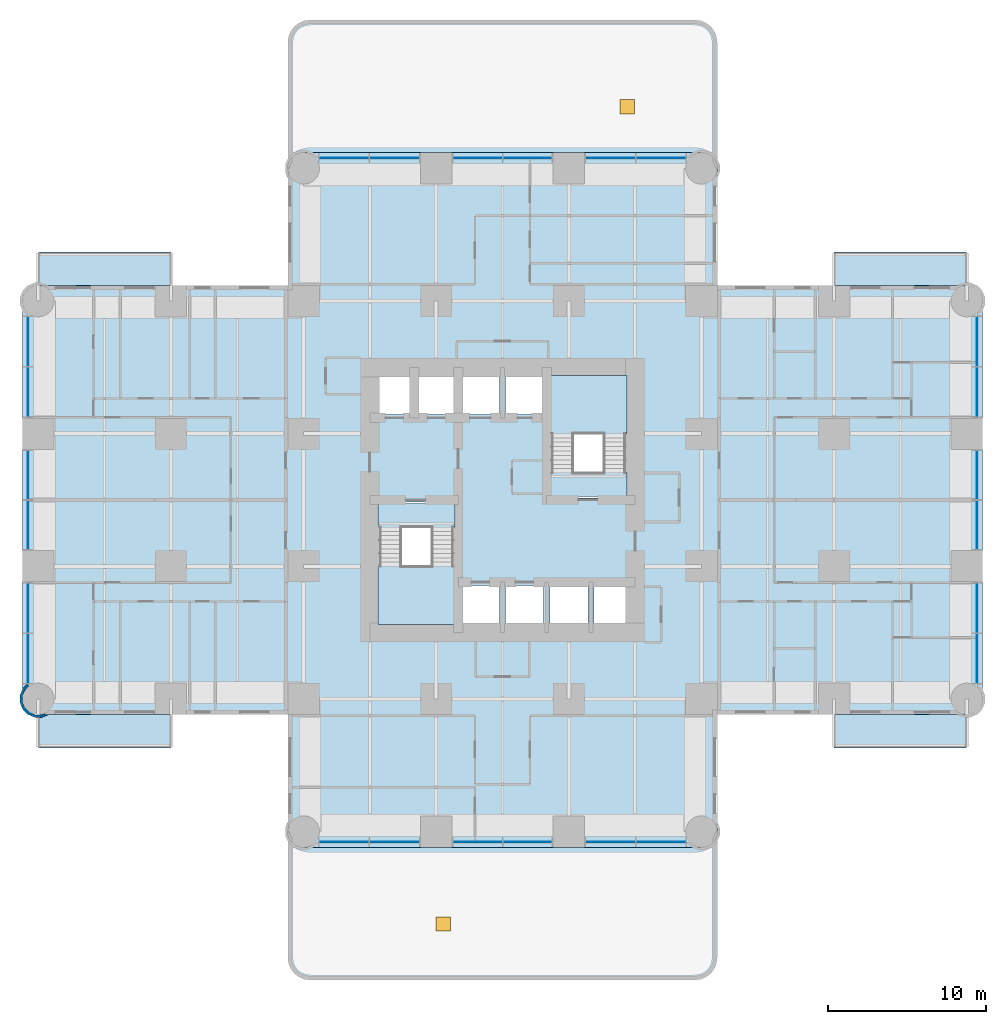
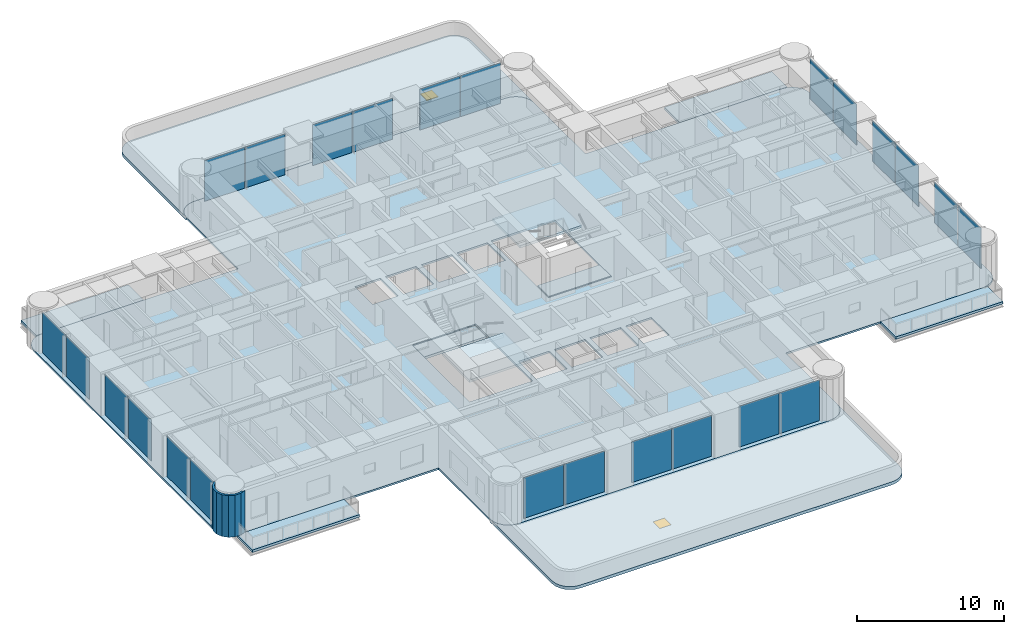
# One storey, part 5 of 14: 24 plates, 11 slabs, 2 windows, 1 wall, 2 openings, 6 elements without a shape of their own.
"""IFC4 building model written with IfcOpenShell, lengths in metres."""

import ifcopenshell
import ifcopenshell.guid

model = None  # the IFC model being written
_history = None  # IfcOwnerHistory: only IFC2X3 demands one
_inside = {}  # id of a spatial element -> (the spatial element, [elements in it])
_under = {}  # id of a project, library or spatial element -> (it, [spatial elements below it])
_declared = {}  # id of a project -> (the project, [libraries it declares])
_typed = {}  # id of a type object -> (the type object, [elements of that type])
_made_of = {}  # id of a material, layer set ... -> (it, [elements and type objects made of it])


def new_model(schema):
    """Start an empty IFC model of exactly this schema.

    Asked for "IFC4X3", IfcOpenShell would pick the latest addendum, in which some entities
    have other attributes; the version numbers below select the first issue.
    IFC2X3 requires an IfcOwnerHistory on every rooted entity: one is made here for all.
    """
    global model, _history
    if schema == "IFC4X3":
        model = ifcopenshell.file(schema_version=(4, 3, 0, 0))
    else:
        model = ifcopenshell.file(schema=schema)
    _inside.clear()
    _under.clear()
    _declared.clear()
    _typed.clear()
    _made_of.clear()
    _history = None
    if model.schema == "IFC2X3":
        org = make("IfcOrganization", Name="unknown")
        user = make(
            "IfcPersonAndOrganization",
            ThePerson=make("IfcPerson", FamilyName="unknown"),
            TheOrganization=org,
        )
        app = make(
            "IfcApplication",
            ApplicationDeveloper=org,
            Version="unknown",
            ApplicationFullName="unknown",
            ApplicationIdentifier="unknown",
        )
        _history = make(
            "IfcOwnerHistory",
            OwningUser=user,
            OwningApplication=app,
            ChangeAction="ADDED",
            CreationDate=0,
        )
    return model


def make(cls, **values):
    """One entity of the class cls with the attributes given. An attribute that is None is left unset."""
    return model.create_entity(
        cls, **{name: value for name, value in values.items() if value is not None}
    )


def rooted(cls, **values):
    """An entity with a GlobalId (a new one), such as an element, a storey or a relation."""
    return make(cls, GlobalId=ifcopenshell.guid.new(), OwnerHistory=_history, **values)


def si_unit(unit_type, name, prefix=None):
    """IfcSIUnit, for example si_unit("LENGTHUNIT", "METRE", prefix="MILLI")."""
    return make("IfcSIUnit", UnitType=unit_type, Prefix=prefix, Name=name)


def assignment(units):
    """IfcUnitAssignment: the units of a project."""
    return None if units is None else make("IfcUnitAssignment", Units=units)


def point(xyz):
    """IfcCartesianPoint."""
    return None if xyz is None else make("IfcCartesianPoint", Coordinates=xyz)


def direction(xyz):
    """IfcDirection."""
    return None if xyz is None else make("IfcDirection", DirectionRatios=xyz)


def frame(location, z_axis=None, x_axis=None):
    """IfcAxis2Placement3D, a coordinate frame: its origin and axes. An axis left out is left unset."""
    return make(
        "IfcAxis2Placement3D",
        Location=point(location),
        Axis=direction(z_axis),
        RefDirection=direction(x_axis),
    )


def frame_2d(location, x_axis=None):
    """IfcAxis2Placement2D, a coordinate frame in the plane: its origin and x axis."""
    return make(
        "IfcAxis2Placement2D", Location=point(location), RefDirection=direction(x_axis)
    )


def origin():
    """The frame at (0, 0, 0) with its axes left unset."""
    return frame((0.0, 0.0, 0.0))


def origin_2d():
    """The frame at (0, 0) in the plane with its x axis left unset."""
    return frame_2d((0.0, 0.0))


def place(relative_to, where):
    """IfcLocalPlacement: puts the frame where relative to a parent placement (None: the world)."""
    return make(
        "IfcLocalPlacement", PlacementRelTo=relative_to, RelativePlacement=where
    )


def context(
    kind, dimensions, precision=None, world=None, true_north=None, identifier=None
):
    """IfcGeometricRepresentationContext, for example the 3D "Model" context."""
    return make(
        "IfcGeometricRepresentationContext",
        ContextIdentifier=identifier,
        ContextType=kind,
        CoordinateSpaceDimension=dimensions,
        Precision=precision,
        WorldCoordinateSystem=world,
        TrueNorth=true_north,
    )


def subcontext(parent, identifier, kind, view, scale=None):
    """IfcGeometricRepresentationSubContext, for example "Body" below "Model"."""
    return make(
        "IfcGeometricRepresentationSubContext",
        ContextIdentifier=identifier,
        ContextType=kind,
        ParentContext=parent,
        TargetScale=scale,
        TargetView=view,
    )


def project(units=None, contexts=None):
    """IfcProject with its units and contexts."""
    return rooted(
        "IfcProject",
        Name="project",
        RepresentationContexts=contexts,
        UnitsInContext=assignment(units),
    )


def spatial(cls, under=None, at=None, **own):
    """A site, building, storey or space (cls), placed at a placement, below another one or the project."""
    s = rooted(cls, ObjectPlacement=at, **own)
    if under is not None:
        _under.setdefault(under.id(), (under, []))[1].append(s)
    return s


def polyline(points):
    """IfcPolyline through the points."""
    return make("IfcPolyline", Points=[point(p) for p in points])


def profile(cls, at=None, kind="AREA", **sizes):
    """A parametric profile (cls). Its sizes go by their IFC names, for example OverallWidth=200.0."""
    return make(cls, ProfileType=kind, Position=at, **sizes)


def rectangle(**sizes):
    """IfcRectangleProfileDef."""
    return profile("IfcRectangleProfileDef", **sizes)


def outline(outer, holes=None, kind="AREA"):
    """IfcArbitraryClosedProfileDef: a profile drawn as a closed curve; with holes, ...WithVoids."""
    if holes is None:
        return make("IfcArbitraryClosedProfileDef", ProfileType=kind, OuterCurve=outer)
    return make(
        "IfcArbitraryProfileDefWithVoids",
        ProfileType=kind,
        OuterCurve=outer,
        InnerCurves=holes,
    )


def extrude(swept, where, along, depth):
    """IfcExtrudedAreaSolid: the profile swept, set in the frame where, extruded along a direction by depth."""
    return make(
        "IfcExtrudedAreaSolid",
        SweptArea=swept,
        Position=where,
        ExtrudedDirection=direction(along),
        Depth=depth,
    )


def shape(context_of_items, identifier, shape_type, items):
    """IfcShapeRepresentation: the items that make up one representation, for example the "Body"."""
    return make(
        "IfcShapeRepresentation",
        ContextOfItems=context_of_items,
        RepresentationIdentifier=identifier,
        RepresentationType=shape_type,
        Items=items,
    )


def material(Name=None, Category=None):
    """IfcMaterial."""
    return make("IfcMaterial", Name=Name, Category=Category)


def layer(
    of_material, thickness, ventilated=None, Name=None, Category=None, Priority=None
):
    """IfcMaterialLayer: one layer of a wall or slab, of a material (None: an air gap)."""
    return make(
        "IfcMaterialLayer",
        Material=of_material,
        LayerThickness=thickness,
        IsVentilated=ventilated,
        Name=Name,
        Category=Category,
        Priority=Priority,
    )


def layer_set(layers, Name=None):
    """IfcMaterialLayerSet."""
    return make("IfcMaterialLayerSet", MaterialLayers=layers, LayerSetName=Name)


def made_of(thing, what):
    """Note that an element or type object is made of a material, layer set ...; save() writes the relation."""
    if what is not None:
        _made_of.setdefault(what.id(), (what, []))[1].append(thing)
    return thing


def type_object(cls, material=None, **own):
    """A type object (cls), such as IfcWallType, which elements share."""
    return made_of(rooted(cls, **own), material)


def element(
    cls,
    number,
    at=None,
    inside=None,
    cuts=None,
    type_object=None,
    material=None,
    context=None,
    identifier="Body",
    shape_type=None,
    held_by="IfcProductDefinitionShape",
    body=None,
    shapes=None,
    **own,
):
    """One element of the class cls, such as IfcWall. Its Tag is "e" and its number.

    at: its placement. inside: the storey or other place that contains it. cuts: it is an
    opening in that element (IfcRelVoidsElement). A single representation is given by context,
    identifier, shape_type and body (its items); several are given by shapes. held_by: the class
    of the entity that holds the representations. save() writes the other relations.
    """
    e = rooted(cls, Tag="e%d" % number, ObjectPlacement=at, **own)
    if body is not None:
        shapes = [shape(context, identifier, shape_type, body)]
    if shapes is not None:
        e.Representation = make(held_by, Representations=shapes)
    if inside is not None:
        _inside.setdefault(inside.id(), (inside, []))[1].append(e)
    if cuts is not None:
        rooted(
            "IfcRelVoidsElement", RelatingBuildingElement=cuts, RelatedOpeningElement=e
        )
    if type_object is not None:
        _typed.setdefault(type_object.id(), (type_object, []))[1].append(e)
    return made_of(e, material)


def fill(opening, filler):
    """IfcRelFillsElement: the door or window that sits in an opening."""
    return rooted(
        "IfcRelFillsElement",
        RelatingOpeningElement=opening,
        RelatedBuildingElement=filler,
    )


def aggregate(whole, parts):
    """IfcRelAggregates: a whole, such as a stair, and the parts it consists of."""
    return rooted("IfcRelAggregates", RelatingObject=whole, RelatedObjects=parts)


def save(model, path):
    """Write the relations noted so far, then the file.

    IfcRelAggregates (storeys below a building ...), IfcRelContainedInSpatialStructure (elements
    in a storey), IfcRelDefinesByType, IfcRelAssociatesMaterial and IfcRelDeclares: one each for
    every whole, place, type object, material and project.
    """
    for whole, parts in _under.values():
        aggregate(whole, parts)
    for where, things in _inside.values():
        rooted(
            "IfcRelContainedInSpatialStructure",
            RelatedElements=things,
            RelatingStructure=where,
        )
    for kind, things in _typed.values():
        rooted("IfcRelDefinesByType", RelatedObjects=things, RelatingType=kind)
    for what, things in _made_of.values():
        rooted("IfcRelAssociatesMaterial", RelatedObjects=things, RelatingMaterial=what)
    for by, libraries in _declared.values():
        rooted("IfcRelDeclares", RelatingContext=by, RelatedDefinitions=libraries)
    model.write(path)


model = new_model("IFC4")

# Units and contexts
model_context = context("Model", 3, precision=1e-05, world=origin(), true_north=direction((0.0, 1.0)))
body_context = subcontext(model_context, "Body", "Model", "MODEL_VIEW")
ifc_project = project(units=[si_unit("LENGTHUNIT", "METRE"), si_unit("AREAUNIT", "SQUARE_METRE"), si_unit("VOLUMEUNIT", "CUBIC_METRE"), si_unit("PLANEANGLEUNIT", "RADIAN"), si_unit("MASSUNIT", "GRAM", prefix="KILO")], contexts=[model_context])

# Site, building, storey
site_placement = place(None, origin())
site = spatial("IfcSite", under=ifc_project, at=site_placement, CompositionType="ELEMENT")
building_placement = place(site_placement, origin())
building = spatial("IfcBuilding", under=site, at=building_placement, Name="Torre Alcanfor", CompositionType="ELEMENT")
storey_placement = place(building_placement, frame((0.0, 0.0, 108.89990234375)))
storey = spatial("IfcBuildingStorey", under=building, at=storey_placement, Name="L27", CompositionType="ELEMENT", Elevation=108.89990234375)

# Slabs
ifc_material_1 = material(Name="Concrete f'c 35 MPa", Category="concrete")
ifc_layer_1 = layer(ifc_material_1, 0.199951171875)
ifc_layer_set_1 = layer_set([ifc_layer_1], Name="Balcony slab 200")
slab_type_1 = type_object("IfcSlabType", Name="Balcony slab 200", PredefinedType="FLOOR", material=ifc_layer_set_1)
slab_1_placement = place(storey_placement, frame((0.0, 0.0, -0.199951171875)))
element("IfcSlab", 1, at=slab_1_placement, inside=storey, type_object=slab_type_1, Name="Balcony L27-E1", PredefinedType="FLOOR", context=body_context, shape_type="SweptSolid", body=[
    extrude(outline(polyline([(50.39990234375, 43.0), (58.800048828125, 43.0), (58.800048828125, 45.10009765625), (50.39990234375, 45.10009765625), (50.39990234375, 43.0)])), origin(), (0.0, 0.0, 1.0), 0.199951171875),
])
slab_2_placement = place(storey_placement, frame((0.0, 0.0, -0.199951171875)))
element("IfcSlab", 2, at=slab_2_placement, inside=storey, type_object=slab_type_1, Name="Balcony L27-E2", PredefinedType="FLOOR", context=body_context, shape_type="SweptSolid", body=[
    extrude(outline(polyline([(50.39990234375, 13.699951171875), (58.800048828125, 13.699951171875), (58.800048828125, 15.800048828125), (50.39990234375, 15.800048828125), (50.39990234375, 13.699951171875)])), origin(), (0.0, 0.0, 1.0), 0.199951171875),
])
slab_3_placement = place(storey_placement, frame((0.0, 0.0, -0.199951171875)))
element("IfcSlab", 3, at=slab_3_placement, inside=storey, type_object=slab_type_1, Name="Balcony L27-W1", PredefinedType="FLOOR", context=body_context, shape_type="SweptSolid", body=[
    extrude(outline(polyline([(8.39990234375, 15.800048828125), (0.0, 15.800048828125), (0.0, 13.699951171875), (8.39990234375, 13.699951171875), (8.39990234375, 15.800048828125)])), origin(), (0.0, 0.0, 1.0), 0.199951171875),
])
slab_4_placement = place(storey_placement, frame((0.0, 0.0, -0.199951171875)))
element("IfcSlab", 4, at=slab_4_placement, inside=storey, type_object=slab_type_1, Name="Balcony L27-W2", PredefinedType="FLOOR", context=body_context, shape_type="SweptSolid", body=[
    extrude(outline(polyline([(8.39990234375, 45.10009765625), (0.0, 45.10009765625), (0.0, 43.0), (8.39990234375, 43.0), (8.39990234375, 45.10009765625)])), origin(), (0.0, 0.0, 1.0), 0.199951171875),
])

# Curtain wall, plates
ifc_material_2 = material(Name="Aluminium and glass", Category="aluminium")
curtain_wall_type = type_object("IfcCurtainWallType", Name="CW-A unitised apartment glazing with vertical FIN", PredefinedType="NOTDEFINED", material=ifc_material_2)
curtain_wall_1_placement = place(storey_placement, origin())
curtain_wall_1 = element("IfcCurtainWall", 5, at=curtain_wall_1_placement, inside=storey, type_object=curtain_wall_type, Name="Curtain wall CW-A L27 2", PredefinedType="NOTDEFINED")
ifc_material_3 = material(Name="Glass", Category="glass")
ifc_layer_2 = layer(ifc_material_3, 0.028076171875)
ifc_layer_set_2 = layer_set([ifc_layer_2], Name="CW-A clear double glazed unit")
plate_type = type_object("IfcPlateType", Name="CW-A clear double glazed unit", PredefinedType="CURTAIN_PANEL", material=ifc_layer_set_2)
plate_1_placement = place(storey_placement, frame((-0.64990234375, 39.428466796875, 0.0), z_axis=(0.0, 0.0, 1.0), x_axis=(0.0, -1.0, 0.0)))
plate_1 = element("IfcPlate", 6, at=plate_1_placement, type_object=plate_type, Name="CW-A panel 1.1.1", PredefinedType="CURTAIN_PANEL", context=body_context, shape_type="SweptSolid", body=[
    extrude(rectangle(XDim=3.12890625, YDim=0.028076171875, at=origin_2d()), origin(), (0.0, 0.0, 1.0), 3.385009765625),
])
plate_2_placement = place(storey_placement, frame((-0.64990234375, 36.234619140625, 0.0), z_axis=(0.0, 0.0, 1.0), x_axis=(0.0, -1.0, 0.0)))
plate_2 = element("IfcPlate", 7, at=plate_2_placement, type_object=plate_type, Name="CW-A panel 1.2.1", PredefinedType="CURTAIN_PANEL", context=body_context, shape_type="SweptSolid", body=[
    extrude(rectangle(XDim=3.12890625, YDim=0.028076171875, at=origin_2d()), origin(), (0.0, 0.0, 1.0), 3.385009765625),
])
plate_3_placement = place(storey_placement, frame((-0.64990234375, 30.981201171875, 0.0), z_axis=(0.0, 0.0, 1.0), x_axis=(0.0, -1.0, 0.0)))
plate_3 = element("IfcPlate", 8, at=plate_3_placement, type_object=plate_type, Name="CW-A panel 2.1.1", PredefinedType="CURTAIN_PANEL", context=body_context, shape_type="SweptSolid", body=[
    extrude(rectangle(XDim=3.097412109375, YDim=0.028076171875, at=origin_2d()), origin(), (0.0, 0.0, 1.0), 3.385009765625),
])
plate_4_placement = place(storey_placement, frame((-0.64990234375, 27.81884765625, 0.0), z_axis=(0.0, 0.0, 1.0), x_axis=(0.0, -1.0, 0.0)))
plate_4 = element("IfcPlate", 9, at=plate_4_placement, type_object=plate_type, Name="CW-A panel 2.2.1", PredefinedType="CURTAIN_PANEL", context=body_context, shape_type="SweptSolid", body=[
    extrude(rectangle(XDim=3.097412109375, YDim=0.028076171875, at=origin_2d()), origin(), (0.0, 0.0, 1.0), 3.385009765625),
])
plate_5_placement = place(storey_placement, frame((-0.64990234375, 22.5654296875, 0.0), z_axis=(0.0, 0.0, 1.0), x_axis=(0.0, -1.0, 0.0)))
plate_5 = element("IfcPlate", 10, at=plate_5_placement, type_object=plate_type, Name="CW-A panel 3.1.1", PredefinedType="CURTAIN_PANEL", context=body_context, shape_type="SweptSolid", body=[
    extrude(rectangle(XDim=3.12890625, YDim=0.028076171875, at=origin_2d()), origin(), (0.0, 0.0, 1.0), 3.385009765625),
])
plate_6_placement = place(storey_placement, frame((-0.64990234375, 19.37158203125, 0.0), z_axis=(0.0, 0.0, 1.0), x_axis=(0.0, -1.0, 0.0)))
plate_6 = element("IfcPlate", 11, at=plate_6_placement, type_object=plate_type, Name="CW-A panel 3.2.1", PredefinedType="CURTAIN_PANEL", context=body_context, shape_type="SweptSolid", body=[
    extrude(rectangle(XDim=3.12890625, YDim=0.028076171875, at=origin_2d()), origin(), (0.0, 0.0, 1.0), 3.385009765625),
])
aggregate(curtain_wall_1, [plate_1, plate_2, plate_3, plate_4, plate_5, plate_6])

curtain_wall_2_placement = place(storey_placement, origin())
curtain_wall_2 = element("IfcCurtainWall", 12, at=curtain_wall_2_placement, inside=storey, type_object=curtain_wall_type, Name="Curtain wall CW-A L27 5", PredefinedType="NOTDEFINED")
plate_7_placement = place(storey_placement, frame((19.37158203125, 7.75, 0.0), z_axis=(0.0, 0.0, 1.0), x_axis=(1.0, 0.0, 0.0)))
plate_7 = element("IfcPlate", 13, at=plate_7_placement, type_object=plate_type, Name="CW-A panel 1.1.1", PredefinedType="CURTAIN_PANEL", context=body_context, shape_type="SweptSolid", body=[
    extrude(rectangle(XDim=3.12890625, YDim=0.028076171875, at=origin_2d()), origin(), (0.0, 0.0, 1.0), 3.385009765625),
])
plate_8_placement = place(storey_placement, frame((22.5654296875, 7.75, 0.0), z_axis=(0.0, 0.0, 1.0), x_axis=(1.0, 0.0, 0.0)))
plate_8 = element("IfcPlate", 14, at=plate_8_placement, type_object=plate_type, Name="CW-A panel 1.2.1", PredefinedType="CURTAIN_PANEL", context=body_context, shape_type="SweptSolid", body=[
    extrude(rectangle(XDim=3.12890625, YDim=0.028076171875, at=origin_2d()), origin(), (0.0, 0.0, 1.0), 3.385009765625),
])
plate_9_placement = place(storey_placement, frame((27.81884765625, 7.75, 0.0), z_axis=(0.0, 0.0, 1.0), x_axis=(1.0, 0.0, 0.0)))
plate_9 = element("IfcPlate", 15, at=plate_9_placement, type_object=plate_type, Name="CW-A panel 2.1.1", PredefinedType="CURTAIN_PANEL", context=body_context, shape_type="SweptSolid", body=[
    extrude(rectangle(XDim=3.097412109375, YDim=0.028076171875, at=origin_2d()), origin(), (0.0, 0.0, 1.0), 3.385009765625),
])
plate_10_placement = place(storey_placement, frame((30.981201171875, 7.75, 0.0), z_axis=(0.0, 0.0, 1.0), x_axis=(1.0, 0.0, 0.0)))
plate_10 = element("IfcPlate", 16, at=plate_10_placement, type_object=plate_type, Name="CW-A panel 2.2.1", PredefinedType="CURTAIN_PANEL", context=body_context, shape_type="SweptSolid", body=[
    extrude(rectangle(XDim=3.097412109375, YDim=0.028076171875, at=origin_2d()), origin(), (0.0, 0.0, 1.0), 3.385009765625),
])
plate_11_placement = place(storey_placement, frame((36.234619140625, 7.75, 0.0), z_axis=(0.0, 0.0, 1.0), x_axis=(1.0, 0.0, 0.0)))
plate_11 = element("IfcPlate", 17, at=plate_11_placement, type_object=plate_type, Name="CW-A panel 3.1.1", PredefinedType="CURTAIN_PANEL", context=body_context, shape_type="SweptSolid", body=[
    extrude(rectangle(XDim=3.12890625, YDim=0.028076171875, at=origin_2d()), origin(), (0.0, 0.0, 1.0), 3.385009765625),
])
plate_12_placement = place(storey_placement, frame((39.428466796875, 7.75, 0.0), z_axis=(0.0, 0.0, 1.0), x_axis=(1.0, 0.0, 0.0)))
plate_12 = element("IfcPlate", 18, at=plate_12_placement, type_object=plate_type, Name="CW-A panel 3.2.1", PredefinedType="CURTAIN_PANEL", context=body_context, shape_type="SweptSolid", body=[
    extrude(rectangle(XDim=3.12890625, YDim=0.028076171875, at=origin_2d()), origin(), (0.0, 0.0, 1.0), 3.385009765625),
])
aggregate(curtain_wall_2, [plate_7, plate_8, plate_9, plate_10, plate_11, plate_12])

curtain_wall_3_placement = place(storey_placement, origin())
curtain_wall_3 = element("IfcCurtainWall", 19, at=curtain_wall_3_placement, inside=storey, type_object=curtain_wall_type, Name="Curtain wall CW-A L27 8", PredefinedType="NOTDEFINED")
plate_13_placement = place(storey_placement, frame((59.449951171875, 19.37158203125, 0.0), z_axis=(0.0, 0.0, 1.0), x_axis=(0.0, 1.0, 0.0)))
plate_13 = element("IfcPlate", 20, at=plate_13_placement, type_object=plate_type, Name="CW-A panel 1.1.1", PredefinedType="CURTAIN_PANEL", context=body_context, shape_type="SweptSolid", body=[
    extrude(rectangle(XDim=3.12890625, YDim=0.028076171875, at=origin_2d()), origin(), (0.0, 0.0, 1.0), 3.385009765625),
])
plate_14_placement = place(storey_placement, frame((59.449951171875, 22.5654296875, 0.0), z_axis=(0.0, 0.0, 1.0), x_axis=(0.0, 1.0, 0.0)))
plate_14 = element("IfcPlate", 21, at=plate_14_placement, type_object=plate_type, Name="CW-A panel 1.2.1", PredefinedType="CURTAIN_PANEL", context=body_context, shape_type="SweptSolid", body=[
    extrude(rectangle(XDim=3.12890625, YDim=0.028076171875, at=origin_2d()), origin(), (0.0, 0.0, 1.0), 3.385009765625),
])
plate_15_placement = place(storey_placement, frame((59.449951171875, 27.81884765625, 0.0), z_axis=(0.0, 0.0, 1.0), x_axis=(0.0, 1.0, 0.0)))
plate_15 = element("IfcPlate", 22, at=plate_15_placement, type_object=plate_type, Name="CW-A panel 2.1.1", PredefinedType="CURTAIN_PANEL", context=body_context, shape_type="SweptSolid", body=[
    extrude(rectangle(XDim=3.097412109375, YDim=0.028076171875, at=origin_2d()), origin(), (0.0, 0.0, 1.0), 3.385009765625),
])
plate_16_placement = place(storey_placement, frame((59.449951171875, 30.981201171875, 0.0), z_axis=(0.0, 0.0, 1.0), x_axis=(0.0, 1.0, 0.0)))
plate_16 = element("IfcPlate", 23, at=plate_16_placement, type_object=plate_type, Name="CW-A panel 2.2.1", PredefinedType="CURTAIN_PANEL", context=body_context, shape_type="SweptSolid", body=[
    extrude(rectangle(XDim=3.097412109375, YDim=0.028076171875, at=origin_2d()), origin(), (0.0, 0.0, 1.0), 3.385009765625),
])
plate_17_placement = place(storey_placement, frame((59.449951171875, 36.234619140625, 0.0), z_axis=(0.0, 0.0, 1.0), x_axis=(0.0, 1.0, 0.0)))
plate_17 = element("IfcPlate", 24, at=plate_17_placement, type_object=plate_type, Name="CW-A panel 3.1.1", PredefinedType="CURTAIN_PANEL", context=body_context, shape_type="SweptSolid", body=[
    extrude(rectangle(XDim=3.12890625, YDim=0.028076171875, at=origin_2d()), origin(), (0.0, 0.0, 1.0), 3.385009765625),
])
plate_18_placement = place(storey_placement, frame((59.449951171875, 39.428466796875, 0.0), z_axis=(0.0, 0.0, 1.0), x_axis=(0.0, 1.0, 0.0)))
plate_18 = element("IfcPlate", 25, at=plate_18_placement, type_object=plate_type, Name="CW-A panel 3.2.1", PredefinedType="CURTAIN_PANEL", context=body_context, shape_type="SweptSolid", body=[
    extrude(rectangle(XDim=3.12890625, YDim=0.028076171875, at=origin_2d()), origin(), (0.0, 0.0, 1.0), 3.385009765625),
])
aggregate(curtain_wall_3, [plate_13, plate_14, plate_15, plate_16, plate_17, plate_18])

curtain_wall_4_placement = place(storey_placement, origin())
curtain_wall_4 = element("IfcCurtainWall", 26, at=curtain_wall_4_placement, inside=storey, type_object=curtain_wall_type, Name="Curtain wall CW-A L27 11", PredefinedType="NOTDEFINED")
plate_19_placement = place(storey_placement, frame((39.428466796875, 51.050048828125, 0.0), z_axis=(0.0, 0.0, 1.0), x_axis=(-1.0, 0.0, 0.0)))
plate_19 = element("IfcPlate", 27, at=plate_19_placement, type_object=plate_type, Name="CW-A panel 1.1.1", PredefinedType="CURTAIN_PANEL", context=body_context, shape_type="SweptSolid", body=[
    extrude(rectangle(XDim=3.12890625, YDim=0.028076171875, at=origin_2d()), origin(), (0.0, 0.0, 1.0), 3.385009765625),
])
plate_20_placement = place(storey_placement, frame((36.234619140625, 51.050048828125, 0.0), z_axis=(0.0, 0.0, 1.0), x_axis=(-1.0, 0.0, 0.0)))
plate_20 = element("IfcPlate", 28, at=plate_20_placement, type_object=plate_type, Name="CW-A panel 1.2.1", PredefinedType="CURTAIN_PANEL", context=body_context, shape_type="SweptSolid", body=[
    extrude(rectangle(XDim=3.12890625, YDim=0.028076171875, at=origin_2d()), origin(), (0.0, 0.0, 1.0), 3.385009765625),
])
plate_21_placement = place(storey_placement, frame((30.981201171875, 51.050048828125, 0.0), z_axis=(0.0, 0.0, 1.0), x_axis=(-1.0, 0.0, 0.0)))
plate_21 = element("IfcPlate", 29, at=plate_21_placement, type_object=plate_type, Name="CW-A panel 2.1.1", PredefinedType="CURTAIN_PANEL", context=body_context, shape_type="SweptSolid", body=[
    extrude(rectangle(XDim=3.097412109375, YDim=0.028076171875, at=origin_2d()), origin(), (0.0, 0.0, 1.0), 3.385009765625),
])
plate_22_placement = place(storey_placement, frame((27.81884765625, 51.050048828125, 0.0), z_axis=(0.0, 0.0, 1.0), x_axis=(-1.0, 0.0, 0.0)))
plate_22 = element("IfcPlate", 30, at=plate_22_placement, type_object=plate_type, Name="CW-A panel 2.2.1", PredefinedType="CURTAIN_PANEL", context=body_context, shape_type="SweptSolid", body=[
    extrude(rectangle(XDim=3.097412109375, YDim=0.028076171875, at=origin_2d()), origin(), (0.0, 0.0, 1.0), 3.385009765625),
])
plate_23_placement = place(storey_placement, frame((22.5654296875, 51.050048828125, 0.0), z_axis=(0.0, 0.0, 1.0), x_axis=(-1.0, 0.0, 0.0)))
plate_23 = element("IfcPlate", 31, at=plate_23_placement, type_object=plate_type, Name="CW-A panel 3.1.1", PredefinedType="CURTAIN_PANEL", context=body_context, shape_type="SweptSolid", body=[
    extrude(rectangle(XDim=3.12890625, YDim=0.028076171875, at=origin_2d()), origin(), (0.0, 0.0, 1.0), 3.385009765625),
])
plate_24_placement = place(storey_placement, frame((19.37158203125, 51.050048828125, 0.0), z_axis=(0.0, 0.0, 1.0), x_axis=(-1.0, 0.0, 0.0)))
plate_24 = element("IfcPlate", 32, at=plate_24_placement, type_object=plate_type, Name="CW-A panel 3.2.1", PredefinedType="CURTAIN_PANEL", context=body_context, shape_type="SweptSolid", body=[
    extrude(rectangle(XDim=3.12890625, YDim=0.028076171875, at=origin_2d()), origin(), (0.0, 0.0, 1.0), 3.385009765625),
])
aggregate(curtain_wall_4, [plate_19, plate_20, plate_21, plate_22, plate_23, plate_24])

# Slab
ifc_material_4 = material(Name="Concrete f'c 35 MPa", Category="concrete")
ifc_layer_3 = layer(ifc_material_4, 0.14990234375)
ifc_layer_set_3 = layer_set([ifc_layer_3], Name="Composite floor 150 on metal deck")
slab_type_2 = type_object("IfcSlabType", Name="Composite floor 150 on metal deck", PredefinedType="FLOOR", material=ifc_layer_set_3)
slab_5_placement = place(storey_placement, frame((0.0, 0.0, -0.14990234375)))
element("IfcSlab", 33, at=slab_5_placement, inside=storey, type_object=slab_type_2, Name="Floor slab L27", PredefinedType="FLOOR", context=body_context, shape_type="SweptSolid", body=[
    extrude(outline(polyline([(15.800048828125, 43.0), (0.39990234375, 43.0), (0.03759765625, 42.952392578125), (-0.300048828125, 42.8125), (-0.58984375, 42.58984375), (-0.8125, 42.300048828125), (-0.952392578125, 41.96240234375), (-1.0, 41.60009765625), (-1.0, 17.199951171875), (-0.952392578125, 16.837646484375), (-0.8125, 16.5), (-0.58984375, 16.210205078125), (-0.300048828125, 15.987548828125), (0.03759765625, 15.84765625), (0.39990234375, 15.800048828125), (15.800048828125, 15.800048828125), (15.800048828125, 8.800048828125), (15.84765625, 8.437744140625), (15.987548828125, 8.10009765625), (16.210205078125, 7.81005859375), (16.5, 7.587646484375), (16.837646484375, 7.44775390625), (17.199951171875, 7.39990234375), (41.60009765625, 7.39990234375), (41.96240234375, 7.44775390625), (42.300048828125, 7.587646484375), (42.58984375, 7.81005859375), (42.8125, 8.10009765625), (42.952392578125, 8.437744140625), (43.0, 8.800048828125), (43.0, 15.800048828125), (58.39990234375, 15.800048828125), (58.76220703125, 15.84765625), (59.10009765625, 15.987548828125), (59.389892578125, 16.210205078125), (59.6123046875, 16.5), (59.752197265625, 16.837646484375), (59.800048828125, 17.199951171875), (59.800048828125, 41.60009765625), (59.752197265625, 41.96240234375), (59.6123046875, 42.300048828125), (59.389892578125, 42.58984375), (59.10009765625, 42.8125), (58.76220703125, 42.952392578125), (58.39990234375, 43.0), (43.0, 43.0), (43.0, 50.0), (42.952392578125, 50.3623046875), (42.8125, 50.699951171875), (42.58984375, 50.989990234375), (42.300048828125, 51.21240234375), (41.96240234375, 51.352294921875), (41.60009765625, 51.39990234375), (17.199951171875, 51.39990234375), (16.837646484375, 51.352294921875), (16.5, 51.21240234375), (16.210205078125, 50.989990234375), (15.987548828125, 50.699951171875), (15.84765625, 50.3623046875), (15.800048828125, 50.0), (15.800048828125, 43.0)]), holes=[polyline([(21.52001953125, 21.52001953125), (26.47998046875, 21.52001953125), (26.47998046875, 29.280029296875), (21.52001953125, 29.280029296875), (21.52001953125, 21.52001953125)]), polyline([(32.320068359375, 29.52001953125), (37.280029296875, 29.52001953125), (37.280029296875, 37.280029296875), (32.320068359375, 37.280029296875), (32.320068359375, 29.52001953125)]), polyline([(26.800048828125, 21.60009765625), (29.199951171875, 21.60009765625), (29.199951171875, 24.0), (26.800048828125, 24.0), (26.800048828125, 21.60009765625)]), polyline([(29.60009765625, 21.60009765625), (32.0, 21.60009765625), (32.0, 24.0), (29.60009765625, 24.0), (29.60009765625, 21.60009765625)]), polyline([(32.39990234375, 21.60009765625), (34.800048828125, 21.60009765625), (34.800048828125, 24.0), (32.39990234375, 24.0), (32.39990234375, 21.60009765625)]), polyline([(35.199951171875, 21.60009765625), (37.199951171875, 21.60009765625), (37.199951171875, 24.0), (35.199951171875, 24.0), (35.199951171875, 21.60009765625)]), polyline([(21.60009765625, 34.800048828125), (23.60009765625, 34.800048828125), (23.60009765625, 37.199951171875), (21.60009765625, 37.199951171875), (21.60009765625, 34.800048828125)]), polyline([(24.0, 34.800048828125), (26.39990234375, 34.800048828125), (26.39990234375, 37.199951171875), (24.0, 37.199951171875), (24.0, 34.800048828125)]), polyline([(26.800048828125, 34.800048828125), (29.199951171875, 34.800048828125), (29.199951171875, 37.199951171875), (26.800048828125, 37.199951171875), (26.800048828125, 34.800048828125)]), polyline([(29.60009765625, 34.800048828125), (32.0, 34.800048828125), (32.0, 37.199951171875), (29.60009765625, 37.199951171875), (29.60009765625, 34.800048828125)])]), origin(), (0.0, 0.0, 1.0), 0.14990234375),
])

# Slab, opening, window
ifc_material_5 = material(Name="Concrete f'c 35 MPa", Category="concrete")
ifc_layer_4 = layer(ifc_material_5, 0.25)
ifc_layer_set_4 = layer_set([ifc_layer_4], Name="Roof slab 250")
slab_type_3 = type_object("IfcSlabType", Name="Roof slab 250", PredefinedType="ROOF", material=ifc_layer_set_4)
slab_6_placement = place(storey_placement, frame((0.0, 0.0, -0.25)))
slab_6 = element("IfcSlab", 34, at=slab_6_placement, inside=storey, type_object=slab_type_3, Name="Maintenance roof L27 1", PredefinedType="ROOF", context=body_context, shape_type="SweptSolid", body=[
    extrude(outline(polyline([(43.0, 8.800048828125), (42.952392578125, 8.437744140625), (42.8125, 8.10009765625), (42.58984375, 7.81005859375), (42.300048828125, 7.587646484375), (41.96240234375, 7.44775390625), (41.60009765625, 7.39990234375), (17.199951171875, 7.39990234375), (16.837646484375, 7.44775390625), (16.5, 7.587646484375), (16.210205078125, 7.81005859375), (15.987548828125, 8.10009765625), (15.84765625, 8.437744140625), (15.800048828125, 8.800048828125), (15.800048828125, 0.39990234375), (15.84765625, 0.03759765625), (15.987548828125, -0.300048828125), (16.210205078125, -0.58984375), (16.5, -0.8125), (16.837646484375, -0.952392578125), (17.199951171875, -1.0), (41.60009765625, -1.0), (41.96240234375, -0.952392578125), (42.300048828125, -0.8125), (42.58984375, -0.58984375), (42.8125, -0.300048828125), (42.952392578125, 0.03759765625), (43.0, 0.39990234375), (43.0, 8.800048828125)])), origin(), (0.0, 0.0, 1.0), 0.25),
])
opening_1_placement = place(slab_6_placement, frame((25.64990234375, 2.550048828125, 0.0)))
opening_1 = element("IfcOpeningElement", 35, at=opening_1_placement, cuts=slab_6, Name="Opening RH1", PredefinedType="OPENING", context=body_context, shape_type="SweptSolid", body=[
    extrude(rectangle(XDim=0.89990234375, YDim=0.89990234375, at=origin_2d()), origin(), (0.0, 0.0, 1.0), 0.25),
])
ifc_material_6 = material(Name="Aluminium", Category="aluminium")
window_type = type_object("IfcWindowType", Name="Roof access hatch 900x900", PartitioningType="SINGLE_PANEL", PredefinedType="SKYLIGHT", material=ifc_material_6)
window_1_placement = place(opening_1_placement, frame((0.0, 0.0, 0.199951171875)))
window_1 = element("IfcWindow", 36, at=window_1_placement, inside=storey, type_object=window_type, Name="Maintenance roof access hatch L27 1", OverallHeight=0.89990234375, OverallWidth=0.89990234375, PartitioningType="SINGLE_PANEL", PredefinedType="SKYLIGHT", context=body_context, shape_type="SweptSolid", body=[
    extrude(rectangle(XDim=0.89990234375, YDim=0.89990234375, at=origin_2d()), origin(), (0.0, 0.0, 1.0), 0.050048828125),
])
fill(opening_1, window_1)

slab_7_placement = place(storey_placement, frame((0.0, 0.0, -0.25)))
slab_7 = element("IfcSlab", 37, at=slab_7_placement, inside=storey, type_object=slab_type_3, Name="Maintenance roof L27 2", PredefinedType="ROOF", context=body_context, shape_type="SweptSolid", body=[
    extrude(outline(polyline([(15.800048828125, 50.0), (15.84765625, 50.3623046875), (15.987548828125, 50.699951171875), (16.210205078125, 50.989990234375), (16.5, 51.21240234375), (16.837646484375, 51.352294921875), (17.199951171875, 51.39990234375), (41.60009765625, 51.39990234375), (41.96240234375, 51.352294921875), (42.300048828125, 51.21240234375), (42.58984375, 50.989990234375), (42.8125, 50.699951171875), (42.952392578125, 50.3623046875), (43.0, 50.0), (43.0, 58.39990234375), (42.952392578125, 58.76220703125), (42.8125, 59.10009765625), (42.58984375, 59.389892578125), (42.300048828125, 59.6123046875), (41.96240234375, 59.752197265625), (41.60009765625, 59.800048828125), (17.199951171875, 59.800048828125), (16.837646484375, 59.752197265625), (16.5, 59.6123046875), (16.210205078125, 59.389892578125), (15.987548828125, 59.10009765625), (15.84765625, 58.76220703125), (15.800048828125, 58.39990234375), (15.800048828125, 50.0)])), origin(), (0.0, 0.0, 1.0), 0.25),
])
opening_2_placement = place(slab_7_placement, frame((37.300048828125, 54.300048828125, 0.0)))
opening_2 = element("IfcOpeningElement", 38, at=opening_2_placement, cuts=slab_7, Name="Opening RH1", PredefinedType="OPENING", context=body_context, shape_type="SweptSolid", body=[
    extrude(rectangle(XDim=0.89990234375, YDim=0.89990234375, at=origin_2d()), origin(), (0.0, 0.0, 1.0), 0.25),
])
window_2_placement = place(opening_2_placement, frame((0.0, 0.0, 0.199951171875)))
window_2 = element("IfcWindow", 39, at=window_2_placement, inside=storey, type_object=window_type, Name="Maintenance roof access hatch L27 2", OverallHeight=0.89990234375, OverallWidth=0.89990234375, PartitioningType="SINGLE_PANEL", PredefinedType="SKYLIGHT", context=body_context, shape_type="SweptSolid", body=[
    extrude(rectangle(XDim=0.89990234375, YDim=0.89990234375, at=origin_2d()), origin(), (0.0, 0.0, 1.0), 0.050048828125),
])
fill(opening_2, window_2)

# Stair, slabs
ifc_material_7 = material(Name="Concrete f'c 35 MPa", Category="concrete")
stair_type_1 = type_object("IfcStairType", Name="Exit stair S1 1400 wide", PredefinedType="HALF_TURN_STAIR", material=ifc_material_7)
stair_1_placement = place(storey_placement, origin())
stair_1 = element("IfcStair", 40, at=stair_1_placement, inside=storey, type_object=stair_type_1, Name="Stair S1 L27 to L28", PredefinedType="HALF_TURN_STAIR")
ifc_material_8 = material(Name="Concrete f'c 35 MPa", Category="concrete")
ifc_layer_5 = layer(ifc_material_8, 0.199951171875)
ifc_layer_set_5 = layer_set([ifc_layer_5], Name="Stair landing 200")
slab_type_4 = type_object("IfcSlabType", Name="Stair landing 200", PredefinedType="LANDING", material=ifc_layer_set_5)
slab_8_placement = place(storey_placement, frame((0.0, 0.0, -0.199951171875)))
slab_8 = element("IfcSlab", 41, at=slab_8_placement, type_object=slab_type_4, Name="S1 landing 1", PredefinedType="LANDING", context=body_context, shape_type="SweptSolid", body=[
    extrude(outline(polyline([(21.52001953125, 27.64990234375), (26.3798828125, 27.64990234375), (26.3798828125, 29.179931640625), (21.52001953125, 29.179931640625), (21.52001953125, 27.64990234375)])), origin(), (0.0, 0.0, 1.0), 0.199951171875),
])
slab_9_placement = place(storey_placement, frame((0.0, 0.0, 1.60009765625)))
slab_9 = element("IfcSlab", 42, at=slab_9_placement, type_object=slab_type_4, Name="S1 landing 2", PredefinedType="LANDING", context=body_context, shape_type="SweptSolid", body=[
    extrude(outline(polyline([(21.52001953125, 21.52001953125), (26.3798828125, 21.52001953125), (26.3798828125, 25.22998046875), (21.52001953125, 25.22998046875), (21.52001953125, 21.52001953125)])), origin(), (0.0, 0.0, 1.0), 0.199951171875),
])
aggregate(stair_1, [slab_8, slab_9])

ifc_material_9 = material(Name="Concrete f'c 35 MPa", Category="concrete")
stair_type_2 = type_object("IfcStairType", Name="Exit stair S2 1400 wide", PredefinedType="HALF_TURN_STAIR", material=ifc_material_9)
stair_2_placement = place(storey_placement, origin())
stair_2 = element("IfcStair", 43, at=stair_2_placement, inside=storey, type_object=stair_type_2, Name="Stair S2 L27 to L28", PredefinedType="HALF_TURN_STAIR")
slab_10_placement = place(storey_placement, frame((0.0, 0.0, -0.199951171875)))
slab_10 = element("IfcSlab", 44, at=slab_10_placement, type_object=slab_type_4, Name="S2 landing 1", PredefinedType="LANDING", context=body_context, shape_type="SweptSolid", body=[
    extrude(outline(polyline([(32.419921875, 29.6201171875), (37.280029296875, 29.6201171875), (37.280029296875, 31.14990234375), (32.419921875, 31.14990234375), (32.419921875, 29.6201171875)])), origin(), (0.0, 0.0, 1.0), 0.199951171875),
])
slab_11_placement = place(storey_placement, frame((0.0, 0.0, 1.60009765625)))
slab_11 = element("IfcSlab", 45, at=slab_11_placement, type_object=slab_type_4, Name="S2 landing 2", PredefinedType="LANDING", context=body_context, shape_type="SweptSolid", body=[
    extrude(outline(polyline([(32.419921875, 33.570068359375), (37.280029296875, 33.570068359375), (37.280029296875, 37.280029296875), (32.419921875, 37.280029296875), (32.419921875, 33.570068359375)])), origin(), (0.0, 0.0, 1.0), 0.199951171875),
])
aggregate(stair_2, [slab_10, slab_11])

# Wall
ifc_material_10 = material(Name="Limestone cladding", Category="masonry")
ifc_layer_6 = layer(ifc_material_10, 0.0400390625, Name="Facing")
ifc_material_11 = material(Name="Ventilated air cavity")
ifc_layer_7 = layer(ifc_material_11, 0.02001953125, ventilated=True, Name="Ventilated joint")
ifc_material_12 = material(Name="Mineral wool insulation", Category="insulation")
ifc_layer_8 = layer(ifc_material_12, 0.10009765625, Name="Insulation")
ifc_material_13 = material(Name="Concrete f'c 35 MPa", Category="concrete")
ifc_layer_9 = layer(ifc_material_13, 0.139892578125, Name="Backing")
ifc_layer_set_6 = layer_set([ifc_layer_6, ifc_layer_7, ifc_layer_8, ifc_layer_9], Name="Rounded corner pier stone-clad 300")
wall_type = type_object("IfcWallType", Name="Rounded corner pier stone-clad 300", PredefinedType="SOLIDWALL", material=ifc_layer_set_6)
wall_placement = place(storey_placement, frame((-0.643275148, 17.667523535, 0.0), z_axis=(0.0, 0.0, 1.0), x_axis=(-0.831199417842, -0.555974394895, 0.0)))
element("IfcWall", 46, at=wall_placement, inside=storey, type_object=wall_type, Name="Corner pier L27 14", PredefinedType="SOLIDWALL", context=body_context, shape_type="SweptSolid", body=[
    extrude(outline(polyline([(0.1711795962868794, 2.1322238639333237), (0.11331991434814137, 2.066360534784921), (0.3385306263274189, 2.0214606425143806), (0.6697116443740095, 1.7999395945485634), (0.8906243154815436, 1.4688932382387638), (0.9683014763401089, 1.0782762019885972), (0.890375456717919, 0.687762152891243), (0.6689901446883555, 0.356784064390024), (0.33780805244230216, 0.13566846373711833), (0.06213435039934877, 0.08097286591496783), (-0.035866995575724744, -0.06554226584338904), (0.004515983953240654, -0.09255371715784835), (0.3997386010099072, -0.014138775317001168), (0.7834516070123592, 0.2420391289906345), (1.039992526531596, 0.6255759697431199), (1.1304051458628446, 1.0782309674187813), (1.040431554535663, 1.5308237868063688), (0.7843893861642811, 1.9147397223541924), (0.4008525454117956, 2.1712806418734294), (-0.009224769548548784, 2.2528931112627424), (0.1711795962868794, 2.1322238639333237)])), origin(), (0.0, 0.0, 1.0), 3.4501953125),
])

save(model, "model.ifc")
